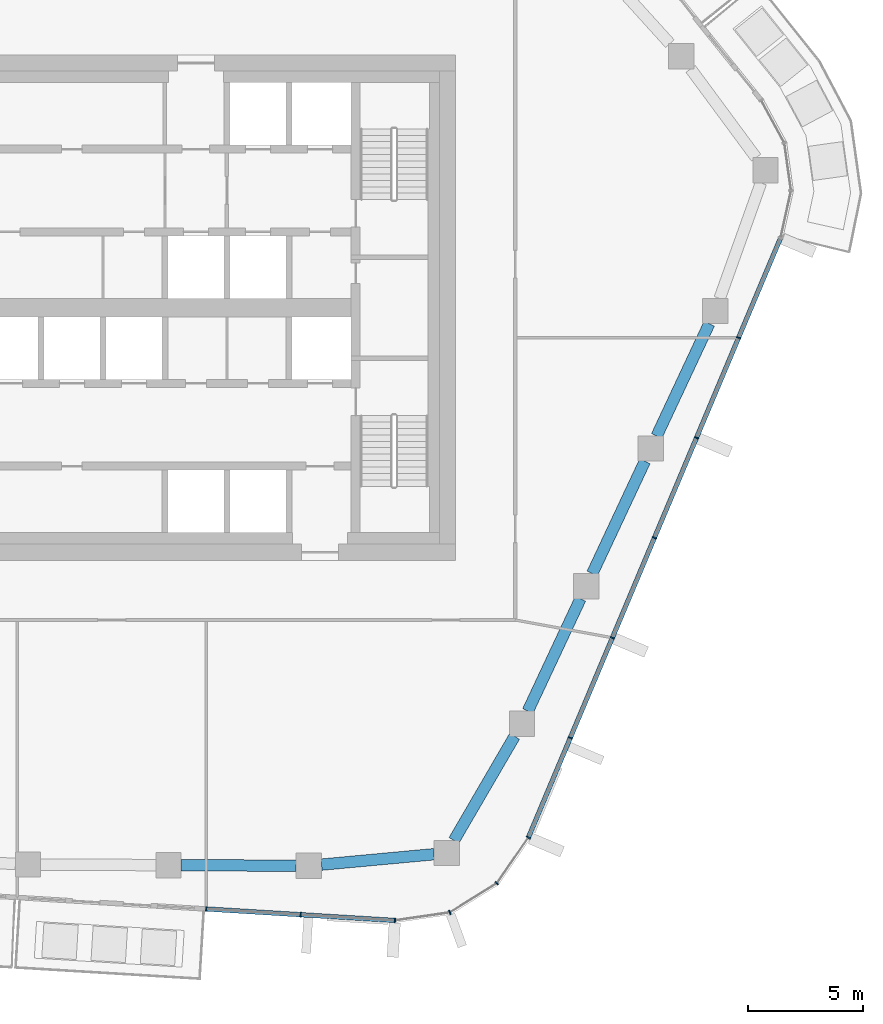
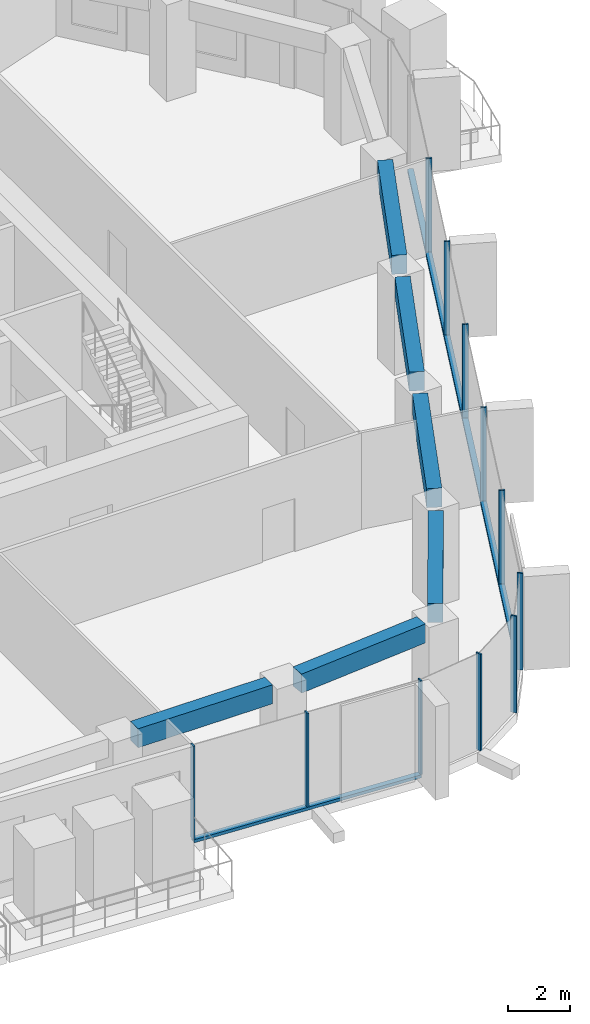
# One storey, part 4 of 20: 13 members, 6 beams, 3 elements without a shape of their own.
"""IFC4 building model written with IfcOpenShell, lengths in metres."""

from ifc_helpers import new_model, si_unit, direction, frame, origin, origin_2d, place, context, subcontext, project, spatial, rectangle, extrude, material, layer, layer_set, material_profile, profile_set, type_object, element, aggregate, save


model = new_model("IFC4")

# Units and contexts
model_context = context("Model", 3, precision=1e-05, world=origin(), true_north=direction((0.0, 1.0)))
body_context = subcontext(model_context, "Body", "Model", "MODEL_VIEW")
ifc_project = project(units=[si_unit("LENGTHUNIT", "METRE"), si_unit("AREAUNIT", "SQUARE_METRE"), si_unit("VOLUMEUNIT", "CUBIC_METRE"), si_unit("PLANEANGLEUNIT", "RADIAN"), si_unit("MASSUNIT", "GRAM", prefix="KILO")], contexts=[model_context])

# Site, building, storey
site_placement = place(None, origin())
site = spatial("IfcSite", under=ifc_project, at=site_placement, CompositionType="ELEMENT")
building_placement = place(site_placement, origin())
building = spatial("IfcBuilding", under=site, at=building_placement, Name="Dongbaek Canopy Tower", CompositionType="ELEMENT")
storey_placement = place(building_placement, frame((0.0, 0.0, 258.0)))
storey = spatial("IfcBuildingStorey", under=building, at=storey_placement, Name="L54", CompositionType="ELEMENT", Elevation=258.0)

# Curtain wall, members
ifc_material_1 = material(Name="Aluminium 6063-T6 pale anodised", Category="aluminium")
ifc_layer = layer(ifc_material_1, 0.199951171875)
ifc_layer_set = layer_set([ifc_layer], Name="CW-1 unitised tower curtain wall")
curtain_wall_type = type_object("IfcCurtainWallType", Name="CW-1 unitised tower curtain wall", PredefinedType="NOTDEFINED", material=ifc_layer_set)
curtain_wall_1_placement = place(storey_placement, origin())
curtain_wall_1 = element("IfcCurtainWall", 1, at=curtain_wall_1_placement, inside=storey, type_object=curtain_wall_type, Name="CW-1 curtain wall F4.1", PredefinedType="NOTDEFINED")
ifc_material_2 = material(Name="Aluminium 6063-T6 pale anodised", Category="aluminium")
ifc_material_profile_1 = material_profile(ifc_material_2, rectangle(XDim=0.199951171875, YDim=0.06005859375, at=origin_2d()), Name="CW-1 mullion 60 x 200")
ifc_profile_set_1 = profile_set([ifc_material_profile_1], Name="Aluminium 6063-T6 pale anodised")
member_type_1 = type_object("IfcMemberType", Name="CW-1 mullion 60 x 200", PredefinedType="MULLION", material=ifc_profile_set_1)
member_1_placement = place(storey_placement, frame((3.147216796875, -26.1806640625, 0.1201171875), z_axis=(0.0, 0.0, 1.0), x_axis=(-0.060746171441, -0.998153246078, 0.0)))
member_1 = element("IfcMember", 2, at=member_1_placement, type_object=member_type_1, Name="CW-1 mullion F4.1.1", PredefinedType="MULLION", context=body_context, shape_type="SweptSolid", body=[
    extrude(rectangle(XDim=0.199951171875, YDim=0.06005859375, at=origin_2d()), origin(), (0.0, 0.0, 1.0), 3.699951171875),
])
member_2_placement = place(storey_placement, frame((7.25927734375, -26.430908203125, 0.1201171875), z_axis=(0.0, 0.0, 1.0), x_axis=(-0.060746171441, -0.998153246078, 0.0)))
member_2 = element("IfcMember", 3, at=member_2_placement, type_object=member_type_1, Name="CW-1 mullion F4.1.2", PredefinedType="MULLION", context=body_context, shape_type="SweptSolid", body=[
    extrude(rectangle(XDim=0.199951171875, YDim=0.06005859375, at=origin_2d()), origin(), (0.0, 0.0, 1.0), 3.699951171875),
])
member_3_placement = place(storey_placement, frame((11.361083984375, -26.6806640625, 0.1201171875), z_axis=(0.0, 0.0, 1.0), x_axis=(-0.060746171441, -0.998153246078, 0.0)))
member_3 = element("IfcMember", 4, at=member_3_placement, type_object=member_type_1, Name="CW-1 mullion F4.1.3", PredefinedType="MULLION", context=body_context, shape_type="SweptSolid", body=[
    extrude(rectangle(XDim=0.199951171875, YDim=0.06005859375, at=origin_2d()), origin(), (0.0, 0.0, 1.0), 3.699951171875),
])

curtain_wall_2_placement = place(storey_placement, origin())
curtain_wall_2 = element("IfcCurtainWall", 5, at=curtain_wall_2_placement, inside=storey, type_object=curtain_wall_type, Name="CW-1 curtain wall K5.1", PredefinedType="NOTDEFINED")
member_4_placement = place(storey_placement, frame((13.754150390625, -26.331787109375, 0.0), z_axis=(0.0, 0.0, 1.0), x_axis=(0.343241866052, -0.939247050242, 0.0)))
member_4 = element("IfcMember", 6, at=member_4_placement, type_object=member_type_1, Name="CW-1 mullion K5.1.2", PredefinedType="MULLION", context=body_context, shape_type="SweptSolid", body=[
    extrude(rectangle(XDim=0.199951171875, YDim=0.06005859375, at=origin_2d()), origin(), (0.0, 0.0, 1.0), 3.820068359375),
])
member_5_placement = place(storey_placement, frame((15.79931640625, -25.06103515625, 0.0), z_axis=(0.0, 0.0, 1.0), x_axis=(0.690019628112, -0.723790655383, 0.0)))
member_5 = element("IfcMember", 7, at=member_5_placement, type_object=member_type_1, Name="CW-1 mullion K5.1.3", PredefinedType="MULLION", context=body_context, shape_type="SweptSolid", body=[
    extrude(rectangle(XDim=0.199951171875, YDim=0.06005859375, at=origin_2d()), origin(), (0.0, 0.0, 1.0), 3.820068359375),
])
member_6_placement = place(storey_placement, frame((17.17236328125, -23.070068359375, 0.0), z_axis=(0.0, 0.0, 1.0), x_axis=(0.823237832697, -0.567696636257, 0.0)))
member_6 = element("IfcMember", 8, at=member_6_placement, type_object=member_type_1, Name="CW-1 mullion K5.1.4", PredefinedType="MULLION", context=body_context, shape_type="SweptSolid", body=[
    extrude(rectangle(XDim=0.199951171875, YDim=0.06005859375, at=origin_2d()), origin(), (0.0, 0.0, 1.0), 3.820068359375),
])
aggregate(curtain_wall_2, [member_4, member_5, member_6])

curtain_wall_3_placement = place(storey_placement, origin())
curtain_wall_3 = element("IfcCurtainWall", 9, at=curtain_wall_3_placement, inside=storey, type_object=curtain_wall_type, Name="CW-1 curtain wall F5.1", PredefinedType="NOTDEFINED")
member_7_placement = place(storey_placement, frame((18.9990234375, -18.7265625, 0.1201171875), z_axis=(0.0, 0.0, 1.0), x_axis=(0.92178748934, -0.387695530662, 0.0)))
member_7 = element("IfcMember", 10, at=member_7_placement, type_object=member_type_1, Name="CW-1 mullion F5.1.2", PredefinedType="MULLION", context=body_context, shape_type="SweptSolid", body=[
    extrude(rectangle(XDim=0.199951171875, YDim=0.06005859375, at=origin_2d()), origin(), (0.0, 0.0, 1.0), 3.699951171875),
])
member_8_placement = place(storey_placement, frame((20.829833984375, -14.37353515625, 0.1201171875), z_axis=(0.0, 0.0, 1.0), x_axis=(0.92178748934, -0.387695530662, 0.0)))
member_8 = element("IfcMember", 11, at=member_8_placement, type_object=member_type_1, Name="CW-1 mullion F5.1.3", PredefinedType="MULLION", context=body_context, shape_type="SweptSolid", body=[
    extrude(rectangle(XDim=0.199951171875, YDim=0.06005859375, at=origin_2d()), origin(), (0.0, 0.0, 1.0), 3.699951171875),
])
member_9_placement = place(storey_placement, frame((22.660888671875, -10.0205078125, 0.1201171875), z_axis=(0.0, 0.0, 1.0), x_axis=(0.92178748934, -0.387695530662, 0.0)))
member_9 = element("IfcMember", 12, at=member_9_placement, type_object=member_type_1, Name="CW-1 mullion F5.1.4", PredefinedType="MULLION", context=body_context, shape_type="SweptSolid", body=[
    extrude(rectangle(XDim=0.199951171875, YDim=0.06005859375, at=origin_2d()), origin(), (0.0, 0.0, 1.0), 3.699951171875),
])
member_10_placement = place(storey_placement, frame((24.49169921875, -5.66748046875, 0.1201171875), z_axis=(0.0, 0.0, 1.0), x_axis=(0.92178748934, -0.387695530662, 0.0)))
member_10 = element("IfcMember", 13, at=member_10_placement, type_object=member_type_1, Name="CW-1 mullion F5.1.5", PredefinedType="MULLION", context=body_context, shape_type="SweptSolid", body=[
    extrude(rectangle(XDim=0.199951171875, YDim=0.06005859375, at=origin_2d()), origin(), (0.0, 0.0, 1.0), 3.699951171875),
])
member_11_placement = place(storey_placement, frame((26.322509765625, -1.314453125, 0.1201171875), z_axis=(0.0, 0.0, 1.0), x_axis=(0.92178748934, -0.387695530662, 0.0)))
member_11 = element("IfcMember", 14, at=member_11_placement, type_object=member_type_1, Name="CW-1 mullion F5.1.6", PredefinedType="MULLION", context=body_context, shape_type="SweptSolid", body=[
    extrude(rectangle(XDim=0.199951171875, YDim=0.06005859375, at=origin_2d()), origin(), (0.0, 0.0, 1.0), 3.699951171875),
])

# Member
ifc_material_3 = material(Name="Aluminium 6063-T6 pale anodised", Category="aluminium")
ifc_material_profile_2 = material_profile(ifc_material_3, rectangle(XDim=0.199951171875, YDim=0.1201171875, at=origin_2d()), Name="CW-1 transom 120 x 200")
ifc_profile_set_2 = profile_set([ifc_material_profile_2], Name="Aluminium 6063-T6 pale anodised")
member_type_2 = type_object("IfcMemberType", Name="CW-1 transom 120 x 200", PredefinedType="USERDEFINED", material=ifc_profile_set_2)
member_12_placement = place(storey_placement, frame((3.147216796875, -26.1806640625, 0.06005859375), z_axis=(0.998152392346, -0.060760197941, 0.0), x_axis=(0.060760197941, 0.998152392346, 0.0)))
member_12 = element("IfcMember", 15, at=member_12_placement, type_object=member_type_2, Name="CW-1 transom F4.1.1", ObjectType="TRANSOM", PredefinedType="USERDEFINED", context=body_context, shape_type="SweptSolid", body=[
    extrude(rectangle(XDim=0.199951171875, YDim=0.1201171875, at=origin_2d()), origin(), (0.0, 0.0, 1.0), 8.22900390625),
])

aggregate(curtain_wall_1, [member_1, member_2, member_3, member_12])

member_13_placement = place(storey_placement, frame((17.17236328125, -23.070068359375, 0.06005859375), z_axis=(0.387694629158, 0.921787868504, 0.0), x_axis=(-0.921787868504, 0.387694629158, 0.0)))
member_13 = element("IfcMember", 16, at=member_13_placement, type_object=member_type_2, Name="CW-1 transom F5.1.1", ObjectType="TRANSOM", PredefinedType="USERDEFINED", context=body_context, shape_type="SweptSolid", body=[
    extrude(rectangle(XDim=0.199951171875, YDim=0.1201171875, at=origin_2d()), origin(), (0.0, 0.0, 1.0), 28.31494140625),
])

aggregate(curtain_wall_3, [member_7, member_8, member_9, member_10, member_11, member_13])

# Beams
ifc_material_4 = material(Name="Concrete C70", Category="concrete")
ifc_material_profile_3 = material_profile(ifc_material_4, rectangle(XDim=0.5, YDim=0.75, at=origin_2d()), Name="RC EDGE BEAM 500x750 C70")
ifc_profile_set_3 = profile_set([ifc_material_profile_3], Name="Concrete C70")
beam_type = type_object("IfcBeamType", Name="RC EDGE BEAM 500x750 C70", PredefinedType="BEAM", material=ifc_profile_set_3)
beam_1_placement = place(storey_placement, frame((13.06201171875, -23.796875, 3.445068359375), z_axis=(-0.995758214652, -0.092008575434, 0.0), x_axis=(0.092008575434, -0.995758214652, 0.0)))
element("IfcBeam", 17, at=beam_1_placement, inside=storey, type_object=beam_type, Name="EDGEBEAM:L54:00", PredefinedType="BEAM", context=body_context, shape_type="SweptSolid", body=[
    extrude(rectangle(XDim=0.5, YDim=0.75, at=origin_2d()), origin(), (0.0, 0.0, 1.0), 4.916748046875),
])
beam_2_placement = place(storey_placement, frame((7.06591796875, -24.297607421875, 3.445068359375), z_axis=(-0.999989301171, 0.004625747851, 0.0), x_axis=(-0.004625747851, -0.999989301171, 0.0)))
element("IfcBeam", 18, at=beam_2_placement, inside=storey, type_object=beam_type, Name="EDGEBEAM:L54:01", PredefinedType="BEAM", context=body_context, shape_type="SweptSolid", body=[
    extrude(rectangle(XDim=0.5, YDim=0.75, at=origin_2d()), origin(), (0.0, 0.0, 1.0), 5.013916015625),
])
beam_3_placement = place(storey_placement, frame((25.04443359375, -0.701904296875, 3.445068359375), z_axis=(-0.423972479832, -0.905675072167, 0.0), x_axis=(0.905675072167, -0.423972479832, 0.0)))
element("IfcBeam", 19, at=beam_3_placement, inside=storey, type_object=beam_type, Name="EDGEBEAM:L54:22", PredefinedType="BEAM", context=body_context, shape_type="SweptSolid", body=[
    extrude(rectangle(XDim=0.5, YDim=0.75, at=origin_2d()), origin(), (0.0, 0.0, 1.0), 5.396240234375),
])
beam_4_placement = place(storey_placement, frame((22.241455078125, -6.68896484375, 3.445068359375), z_axis=(-0.424105880993, -0.905612611279, 0.0), x_axis=(0.905612611279, -0.424105880993, 0.0)))
element("IfcBeam", 20, at=beam_4_placement, inside=storey, type_object=beam_type, Name="EDGEBEAM:L54:23", PredefinedType="BEAM", context=body_context, shape_type="SweptSolid", body=[
    extrude(rectangle(XDim=0.5, YDim=0.75, at=origin_2d()), origin(), (0.0, 0.0, 1.0), 5.3974609375),
])
beam_5_placement = place(storey_placement, frame((19.437255859375, -12.677001953125, 3.445068359375), z_axis=(-0.424249579949, -0.905545301966, 0.0), x_axis=(0.905545301966, -0.424249579949, 0.0)))
element("IfcBeam", 21, at=beam_5_placement, inside=storey, type_object=beam_type, Name="EDGEBEAM:L54:24", PredefinedType="BEAM", context=body_context, shape_type="SweptSolid", body=[
    extrude(rectangle(XDim=0.5, YDim=0.75, at=origin_2d()), origin(), (0.0, 0.0, 1.0), 5.396728515625),
])
beam_6_placement = place(storey_placement, frame((16.56982421875, -18.6640625, 3.445068359375), z_axis=(-0.503022590015, -0.864273263462, 0.0), x_axis=(0.864273263462, -0.503022590015, 0.0)))
element("IfcBeam", 22, at=beam_6_placement, inside=storey, type_object=beam_type, Name="EDGEBEAM:L54:25", PredefinedType="BEAM", context=body_context, shape_type="SweptSolid", body=[
    extrude(rectangle(XDim=0.5, YDim=0.75, at=origin_2d()), origin(), (0.0, 0.0, 1.0), 5.24365234375),
])

save(model, "model.ifc")
